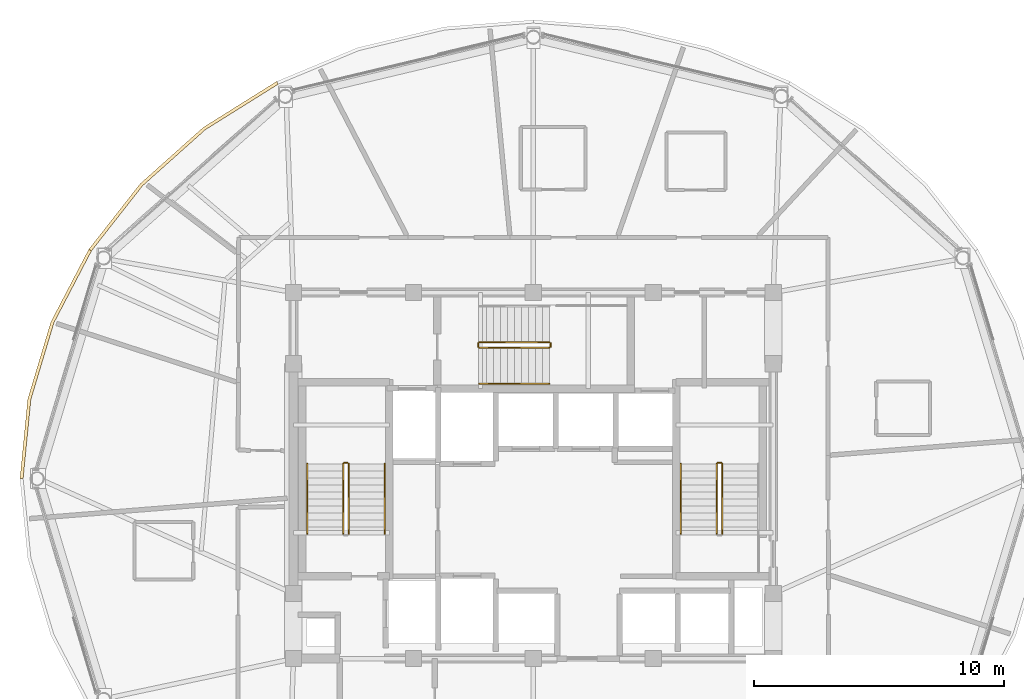
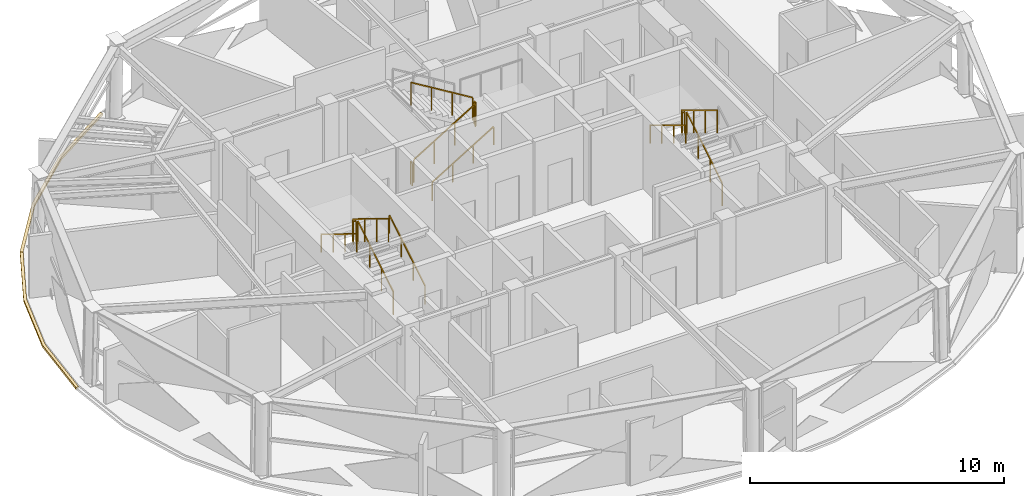
# One storey, part 14 of 15: 14 railings, 2 coverings.
"""IFC4 building model written with IfcOpenShell, lengths in metres."""

from ifc_helpers import new_model, si_unit, direction, frame, origin, origin_2d, place, context, subcontext, project, spatial, polyline, rectangle, outline, extrude, material, layer, layer_set, type_object, element, save


model = new_model("IFC4")

# Units and contexts
model_context = context("Model", 3, precision=1e-05, world=origin(), true_north=direction((0.0, 1.0)))
body_context = subcontext(model_context, "Body", "Model", "MODEL_VIEW")
ifc_project = project(units=[si_unit("LENGTHUNIT", "METRE"), si_unit("AREAUNIT", "SQUARE_METRE"), si_unit("VOLUMEUNIT", "CUBIC_METRE"), si_unit("PLANEANGLEUNIT", "RADIAN"), si_unit("MASSUNIT", "GRAM", prefix="KILO")], contexts=[model_context])

# Site, building, storey
site_placement = place(None, origin())
site = spatial("IfcSite", under=ifc_project, at=site_placement, CompositionType="ELEMENT")
building_placement = place(site_placement, origin())
building = spatial("IfcBuilding", under=site, at=building_placement, Name="Vantalir Tower", CompositionType="ELEMENT")
storey_placement = place(building_placement, frame((0.0, 0.0, 263.85009765625)))
storey = spatial("IfcBuildingStorey", under=building, at=storey_placement, Name="L66", CompositionType="ELEMENT", Elevation=263.85009765625)

# Coverings
ifc_material_1 = material(Name="Anodised champagne aluminium sill fascia", Category="aluminium")
ifc_layer = layer(ifc_material_1, 0.125)
ifc_layer_set = layer_set([ifc_layer], Name="Anodised champagne aluminium sill fascia")
covering_type = type_object("IfcCoveringType", Name="COV-SLAB-FASCIA-125", PredefinedType="CLADDING", material=ifc_layer_set)
covering_1_placement = place(storey_placement, frame((0.0, 0.0, -0.18017578125)))
element("IfcCovering", 1, at=covering_1_placement, inside=storey, type_object=covering_type, Name="L66 Perimeter Slab-Edge Sill Fascia 05", PredefinedType="CLADDING", context=body_context, shape_type="SweptSolid", body=[
    extrude(outline(polyline([(21.22802734375, 40.89794921875), (18.2939453125, 39.06201171875), (15.761962890625, 36.800048828125), (13.7080078125, 34.177978515625), (13.81591796875, 34.115966796875), (15.85693359375, 36.718994140625), (18.3740234375, 38.967041015625), (21.2900390625, 40.7890625), (21.22802734375, 40.89794921875)])), origin(), (0.0, 0.0, 1.0), 0.10498046875),
])
covering_2_placement = place(storey_placement, frame((0.0, 0.0, -0.18017578125)))
element("IfcCovering", 2, at=covering_2_placement, inside=storey, type_object=covering_type, Name="L66 Perimeter Slab-Edge Sill Fascia 06", PredefinedType="CLADDING", context=body_context, shape_type="SweptSolid", body=[
    extrude(outline(polyline([(13.7080078125, 34.177978515625), (12.194091796875, 31.278076171875), (11.26708984375, 28.18798828125), (10.955078125, 25.0), (11.080078125, 25.0), (11.389892578125, 28.166015625), (12.31103515625, 31.236083984375), (13.81591796875, 34.115966796875), (13.7080078125, 34.177978515625)])), origin(), (0.0, 0.0, 1.0), 0.10498046875),
])

# Railings
ifc_material_2 = material(Name="Anodised aluminium and stainless steel guard", Category="steel")
railing_type_1 = type_object("IfcRailingType", Name="RAL-GUARD-1120", PredefinedType="GUARDRAIL", material=ifc_material_2)
railing_1_placement = place(storey_placement, frame((24.110107421875, 22.7900390625, 0.17041015625)))
element("IfcRailing", 3, at=railing_1_placement, inside=storey, type_object=railing_type_1, Name="L66 ST1 stair guard 1", PredefinedType="GUARDRAIL", context=body_context, shape_type="SweptSolid", body=[
    extrude(rectangle(XDim=0.048095703125, YDim=0.048095703125, at=origin_2d()), frame((0.0, 0.0, 1.09619140625), z_axis=(0.0, 0.854169791009, 0.51999420009), x_axis=(-1.0, 0.0, 0.0)), (0.0, 0.0, 1.0), 3.278076171875),
    extrude(rectangle(XDim=0.0419921875, YDim=0.0419921875, at=origin_2d()), origin(), (0.0, 0.0, 1.0), 1.072021484375),
    extrude(rectangle(XDim=0.0419921875, YDim=0.0419921875, at=origin_2d()), frame((0.0, 0.933349609375, 0.568115234375)), (0.0, 0.0, 1.0), 1.072021484375),
    extrude(rectangle(XDim=0.0419921875, YDim=0.0419921875, at=origin_2d()), frame((0.0, 1.86669921875, 1.136474609375)), (0.0, 0.0, 1.0), 1.072021484375),
    extrude(rectangle(XDim=0.0419921875, YDim=0.0419921875, at=origin_2d()), frame((0.0, 2.800048828125, 1.70458984375)), (0.0, 0.0, 1.0), 1.072021484375),
])
railing_2_placement = place(storey_placement, frame((24.06005859375, 25.639892578125, 1.875)))
element("IfcRailing", 4, at=railing_2_placement, inside=storey, type_object=railing_type_1, Name="L66 ST1 stair guard 2", PredefinedType="GUARDRAIL", context=body_context, shape_type="SweptSolid", body=[
    extrude(rectangle(XDim=0.048095703125, YDim=0.048095703125, at=origin_2d()), frame((0.0, 0.0, 1.09619140625), z_axis=(-1.0, 0.0, 0.0), x_axis=(0.0, -1.0, 0.0)), (0.0, 0.0, 1.0), 0.1201171875),
    extrude(rectangle(XDim=0.0419921875, YDim=0.0419921875, at=origin_2d()), origin(), (0.0, 0.0, 1.0), 1.072021484375),
    extrude(rectangle(XDim=0.0419921875, YDim=0.0419921875, at=origin_2d()), frame((-0.1201171875, 0.0, 0.0)), (0.0, 0.0, 1.0), 1.072021484375),
])
railing_3_placement = place(storey_placement, frame((23.889892578125, 25.590087890625, 2.04541015625)))
element("IfcRailing", 5, at=railing_3_placement, inside=storey, type_object=railing_type_1, Name="L66 ST1 stair guard 3", PredefinedType="GUARDRAIL", context=body_context, shape_type="SweptSolid", body=[
    extrude(rectangle(XDim=0.048095703125, YDim=0.048095703125, at=origin_2d()), frame((0.0, 0.0, 1.09619140625), z_axis=(0.0, -0.854169791009, 0.51999420009), x_axis=(1.0, 0.0, 0.0)), (0.0, 0.0, 1.0), 3.278076171875),
    extrude(rectangle(XDim=0.0419921875, YDim=0.0419921875, at=origin_2d()), origin(), (0.0, 0.0, 1.0), 1.072021484375),
    extrude(rectangle(XDim=0.0419921875, YDim=0.0419921875, at=origin_2d()), frame((0.0, -0.933349609375, 0.568115234375)), (0.0, 0.0, 1.0), 1.072021484375),
    extrude(rectangle(XDim=0.0419921875, YDim=0.0419921875, at=origin_2d()), frame((0.0, -1.86669921875, 1.136474609375)), (0.0, 0.0, 1.0), 1.072021484375),
    extrude(rectangle(XDim=0.0419921875, YDim=0.0419921875, at=origin_2d()), frame((0.0, -2.800048828125, 1.70458984375)), (0.0, 0.0, 1.0), 1.072021484375),
])
railing_4_placement = place(storey_placement, frame((39.06005859375, 22.7900390625, 0.17041015625)))
element("IfcRailing", 6, at=railing_4_placement, inside=storey, type_object=railing_type_1, Name="L66 ST2 stair guard 1", PredefinedType="GUARDRAIL", context=body_context, shape_type="SweptSolid", body=[
    extrude(rectangle(XDim=0.048095703125, YDim=0.048095703125, at=origin_2d()), frame((0.0, 0.0, 1.09619140625), z_axis=(0.0, 0.854169791009, 0.51999420009), x_axis=(-1.0, 0.0, 0.0)), (0.0, 0.0, 1.0), 3.278076171875),
    extrude(rectangle(XDim=0.0419921875, YDim=0.0419921875, at=origin_2d()), origin(), (0.0, 0.0, 1.0), 1.072021484375),
    extrude(rectangle(XDim=0.0419921875, YDim=0.0419921875, at=origin_2d()), frame((0.0, 0.933349609375, 0.568115234375)), (0.0, 0.0, 1.0), 1.072021484375),
    extrude(rectangle(XDim=0.0419921875, YDim=0.0419921875, at=origin_2d()), frame((0.0, 1.86669921875, 1.136474609375)), (0.0, 0.0, 1.0), 1.072021484375),
    extrude(rectangle(XDim=0.0419921875, YDim=0.0419921875, at=origin_2d()), frame((0.0, 2.800048828125, 1.70458984375)), (0.0, 0.0, 1.0), 1.072021484375),
])
railing_5_placement = place(storey_placement, frame((39.010009765625, 25.639892578125, 1.875)))
element("IfcRailing", 7, at=railing_5_placement, inside=storey, type_object=railing_type_1, Name="L66 ST2 stair guard 2", PredefinedType="GUARDRAIL", context=body_context, shape_type="SweptSolid", body=[
    extrude(rectangle(XDim=0.048095703125, YDim=0.048095703125, at=origin_2d()), frame((0.0, 0.0, 1.09619140625), z_axis=(-1.0, 0.0, 0.0), x_axis=(0.0, -1.0, 0.0)), (0.0, 0.0, 1.0), 0.1201171875),
    extrude(rectangle(XDim=0.0419921875, YDim=0.0419921875, at=origin_2d()), origin(), (0.0, 0.0, 1.0), 1.072021484375),
    extrude(rectangle(XDim=0.0419921875, YDim=0.0419921875, at=origin_2d()), frame((-0.1201171875, 0.0, 0.0)), (0.0, 0.0, 1.0), 1.072021484375),
])
railing_6_placement = place(storey_placement, frame((38.840087890625, 25.590087890625, 2.04541015625)))
element("IfcRailing", 8, at=railing_6_placement, inside=storey, type_object=railing_type_1, Name="L66 ST2 stair guard 3", PredefinedType="GUARDRAIL", context=body_context, shape_type="SweptSolid", body=[
    extrude(rectangle(XDim=0.048095703125, YDim=0.048095703125, at=origin_2d()), frame((0.0, 0.0, 1.09619140625), z_axis=(0.0, -0.854169791009, 0.51999420009), x_axis=(1.0, 0.0, 0.0)), (0.0, 0.0, 1.0), 3.278076171875),
    extrude(rectangle(XDim=0.0419921875, YDim=0.0419921875, at=origin_2d()), origin(), (0.0, 0.0, 1.0), 1.072021484375),
    extrude(rectangle(XDim=0.0419921875, YDim=0.0419921875, at=origin_2d()), frame((0.0, -0.933349609375, 0.568115234375)), (0.0, 0.0, 1.0), 1.072021484375),
    extrude(rectangle(XDim=0.0419921875, YDim=0.0419921875, at=origin_2d()), frame((0.0, -1.86669921875, 1.136474609375)), (0.0, 0.0, 1.0), 1.072021484375),
    extrude(rectangle(XDim=0.0419921875, YDim=0.0419921875, at=origin_2d()), frame((0.0, -2.800048828125, 1.70458984375)), (0.0, 0.0, 1.0), 1.072021484375),
])
railing_7_placement = place(storey_placement, frame((29.340087890625, 30.239990234375, 0.17041015625)))
element("IfcRailing", 9, at=railing_7_placement, inside=storey, type_object=railing_type_1, Name="L66 ST3 stair guard 1", PredefinedType="GUARDRAIL", context=body_context, shape_type="SweptSolid", body=[
    extrude(rectangle(XDim=0.048095703125, YDim=0.048095703125, at=origin_2d()), frame((0.0, 0.0, 1.09619140625), z_axis=(0.854149651119, 0.0, 0.520027281489), x_axis=(0.0, 1.0, 0.0)), (0.0, 0.0, 1.0), 3.27783203125),
    extrude(rectangle(XDim=0.0419921875, YDim=0.0419921875, at=origin_2d()), origin(), (0.0, 0.0, 1.0), 1.072021484375),
    extrude(rectangle(XDim=0.0419921875, YDim=0.0419921875, at=origin_2d()), frame((0.933349609375, 0.0, 0.568115234375)), (0.0, 0.0, 1.0), 1.072021484375),
    extrude(rectangle(XDim=0.0419921875, YDim=0.0419921875, at=origin_2d()), frame((1.866455078125, 0.0, 1.136474609375)), (0.0, 0.0, 1.0), 1.072021484375),
    extrude(rectangle(XDim=0.0419921875, YDim=0.0419921875, at=origin_2d()), frame((2.7998046875, 0.0, 1.70458984375)), (0.0, 0.0, 1.0), 1.072021484375),
])
railing_8_placement = place(storey_placement, frame((32.18994140625, 30.2900390625, 1.875)))
element("IfcRailing", 10, at=railing_8_placement, inside=storey, type_object=railing_type_1, Name="L66 ST3 stair guard 2", PredefinedType="GUARDRAIL", context=body_context, shape_type="SweptSolid", body=[
    extrude(rectangle(XDim=0.048095703125, YDim=0.048095703125, at=origin_2d()), frame((0.0, 0.0, 1.09619140625), z_axis=(0.0, 1.0, 0.0), x_axis=(-1.0, 0.0, 0.0)), (0.0, 0.0, 1.0), 0.119873046875),
    extrude(rectangle(XDim=0.0419921875, YDim=0.0419921875, at=origin_2d()), origin(), (0.0, 0.0, 1.0), 1.072021484375),
    extrude(rectangle(XDim=0.0419921875, YDim=0.0419921875, at=origin_2d()), frame((0.0, 0.119873046875, 0.0)), (0.0, 0.0, 1.0), 1.072021484375),
])
railing_9_placement = place(storey_placement, frame((32.139892578125, 30.4599609375, 2.04541015625)))
element("IfcRailing", 11, at=railing_9_placement, inside=storey, type_object=railing_type_1, Name="L66 ST3 stair guard 3", PredefinedType="GUARDRAIL", context=body_context, shape_type="SweptSolid", body=[
    extrude(rectangle(XDim=0.048095703125, YDim=0.048095703125, at=origin_2d()), frame((0.0, 0.0, 1.09619140625), z_axis=(-0.854149651119, 0.0, 0.520027281489), x_axis=(0.0, -1.0, 0.0)), (0.0, 0.0, 1.0), 3.27783203125),
    extrude(rectangle(XDim=0.0419921875, YDim=0.0419921875, at=origin_2d()), origin(), (0.0, 0.0, 1.0), 1.072021484375),
    extrude(rectangle(XDim=0.0419921875, YDim=0.0419921875, at=origin_2d()), frame((-0.933349609375, 0.0, 0.568115234375)), (0.0, 0.0, 1.0), 1.072021484375),
    extrude(rectangle(XDim=0.0419921875, YDim=0.0419921875, at=origin_2d()), frame((-1.866455078125, 0.0, 1.136474609375)), (0.0, 0.0, 1.0), 1.072021484375),
    extrude(rectangle(XDim=0.0419921875, YDim=0.0419921875, at=origin_2d()), frame((-2.7998046875, 0.0, 1.70458984375)), (0.0, 0.0, 1.0), 1.072021484375),
])
railing_10_placement = place(storey_placement, frame((29.2900390625, 30.2900390625, 0.0)))
element("IfcRailing", 12, at=railing_10_placement, inside=storey, type_object=railing_type_1, Name="L66 ST3 stair guard 4", PredefinedType="GUARDRAIL", context=body_context, shape_type="SweptSolid", body=[
    extrude(rectangle(XDim=0.048095703125, YDim=0.048095703125, at=origin_2d()), frame((0.0, 0.0, 1.09619140625), z_axis=(0.0, 1.0, 0.0), x_axis=(-1.0, 0.0, 0.0)), (0.0, 0.0, 1.0), 0.119873046875),
    extrude(rectangle(XDim=0.0419921875, YDim=0.0419921875, at=origin_2d()), origin(), (0.0, 0.0, 1.0), 1.072021484375),
    extrude(rectangle(XDim=0.0419921875, YDim=0.0419921875, at=origin_2d()), frame((0.0, 0.119873046875, 0.0)), (0.0, 0.0, 1.0), 1.072021484375),
])
ifc_material_3 = material(Name="Brushed stainless steel tubular handrail", Category="steel")
railing_type_2 = type_object("IfcRailingType", Name="RAL-HANDRAIL-900", PredefinedType="HANDRAIL", material=ifc_material_3)
railing_11_placement = place(storey_placement, frame((25.550048828125, 22.7900390625, 0.17041015625)))
element("IfcRailing", 13, at=railing_11_placement, inside=storey, type_object=railing_type_2, Name="L66 ST1 stair handrail 1", PredefinedType="HANDRAIL", context=body_context, shape_type="SweptSolid", body=[
    extrude(rectangle(XDim=0.048095703125, YDim=0.048095703125, at=origin_2d()), frame((0.0, 0.0, 0.8759765625), z_axis=(0.0, 0.854169791009, 0.51999420009), x_axis=(-1.0, 0.0, 0.0)), (0.0, 0.0, 1.0), 3.278076171875),
    extrude(rectangle(XDim=0.0419921875, YDim=0.0419921875, at=origin_2d()), origin(), (0.0, 0.0, 1.0), 0.851806640625),
    extrude(rectangle(XDim=0.0419921875, YDim=0.0419921875, at=origin_2d()), frame((0.0, 0.933349609375, 0.568115234375)), (0.0, 0.0, 1.0), 0.851806640625),
    extrude(rectangle(XDim=0.0419921875, YDim=0.0419921875, at=origin_2d()), frame((0.0, 1.86669921875, 1.136474609375)), (0.0, 0.0, 1.0), 0.851806640625),
    extrude(rectangle(XDim=0.0419921875, YDim=0.0419921875, at=origin_2d()), frame((0.0, 2.800048828125, 1.70458984375)), (0.0, 0.0, 1.0), 0.851806640625),
])
for number, where, name in (
    (14, (22.449951171875, 25.590087890625, 2.04541015625), "L66 ST1 stair handrail 2"),
    (15, (37.39990234375, 25.590087890625, 2.04541015625), "L66 ST2 stair handrail 2"),
):
    element("IfcRailing", number, at=place(storey_placement, frame(where)), inside=storey, type_object=railing_type_2, Name=name, PredefinedType="HANDRAIL", context=body_context, shape_type="SweptSolid", body=[
        extrude(rectangle(XDim=0.048095703125, YDim=0.048095703125, at=origin_2d()), frame((0.0, 0.0, 0.8759765625), z_axis=(0.0, -0.854169791009, 0.51999420009), x_axis=(1.0, 0.0, 0.0)), (0.0, 0.0, 1.0), 3.278076171875),
        extrude(rectangle(XDim=0.0419921875, YDim=0.0419921875, at=origin_2d()), origin(), (0.0, 0.0, 1.0), 0.851806640625),
        extrude(rectangle(XDim=0.0419921875, YDim=0.0419921875, at=origin_2d()), frame((0.0, -0.933349609375, 0.568115234375)), (0.0, 0.0, 1.0), 0.851806640625),
        extrude(rectangle(XDim=0.0419921875, YDim=0.0419921875, at=origin_2d()), frame((0.0, -1.86669921875, 1.136474609375)), (0.0, 0.0, 1.0), 0.851806640625),
        extrude(rectangle(XDim=0.0419921875, YDim=0.0419921875, at=origin_2d()), frame((0.0, -2.800048828125, 1.70458984375)), (0.0, 0.0, 1.0), 0.851806640625),
    ])
railing_12_placement = place(storey_placement, frame((29.340087890625, 28.800048828125, 0.17041015625)))
element("IfcRailing", 16, at=railing_12_placement, inside=storey, type_object=railing_type_2, Name="L66 ST3 stair handrail 1", PredefinedType="HANDRAIL", context=body_context, shape_type="SweptSolid", body=[
    extrude(rectangle(XDim=0.048095703125, YDim=0.048095703125, at=origin_2d()), frame((0.0, 0.0, 0.8759765625), z_axis=(0.854149651119, 0.0, 0.520027281489), x_axis=(0.0, 1.0, 0.0)), (0.0, 0.0, 1.0), 3.27783203125),
    extrude(rectangle(XDim=0.0419921875, YDim=0.0419921875, at=origin_2d()), origin(), (0.0, 0.0, 1.0), 0.851806640625),
    extrude(rectangle(XDim=0.0419921875, YDim=0.0419921875, at=origin_2d()), frame((0.933349609375, 0.0, 0.568115234375)), (0.0, 0.0, 1.0), 0.851806640625),
    extrude(rectangle(XDim=0.0419921875, YDim=0.0419921875, at=origin_2d()), frame((1.866455078125, 0.0, 1.136474609375)), (0.0, 0.0, 1.0), 0.851806640625),
    extrude(rectangle(XDim=0.0419921875, YDim=0.0419921875, at=origin_2d()), frame((2.7998046875, 0.0, 1.70458984375)), (0.0, 0.0, 1.0), 0.851806640625),
])

save(model, "model.ifc")
